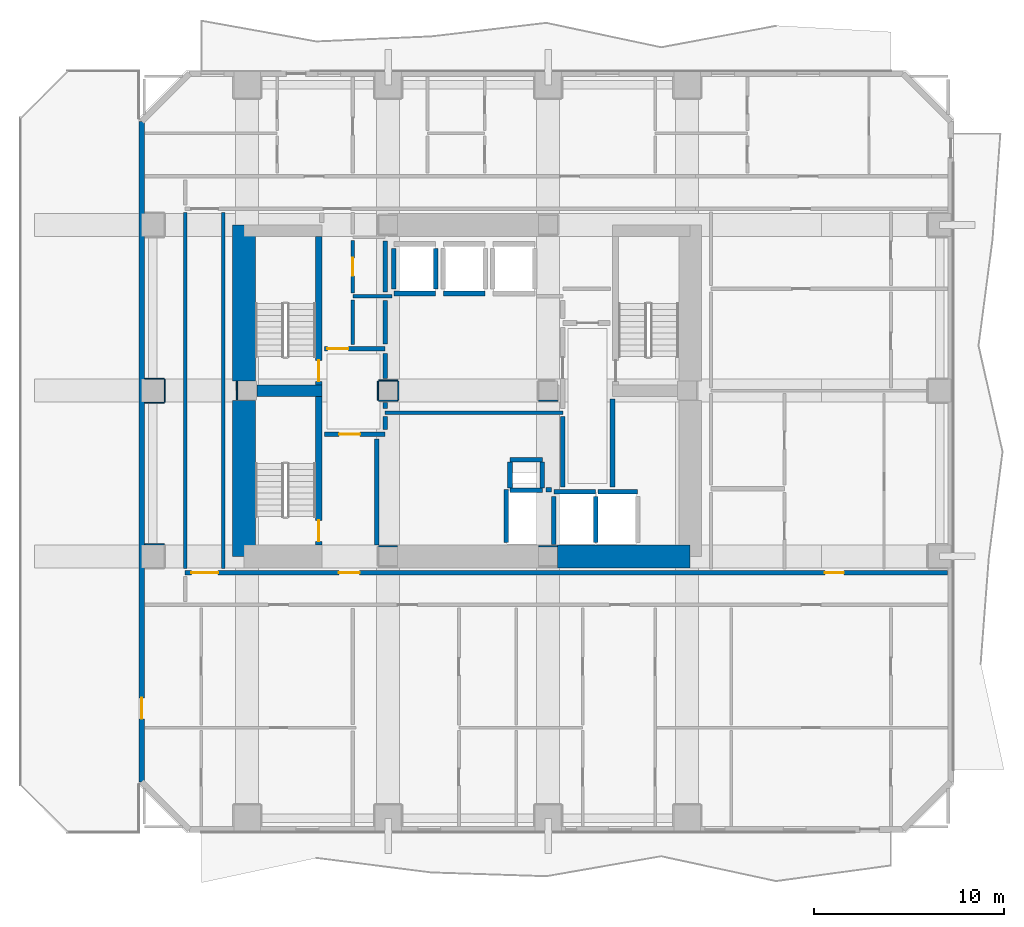
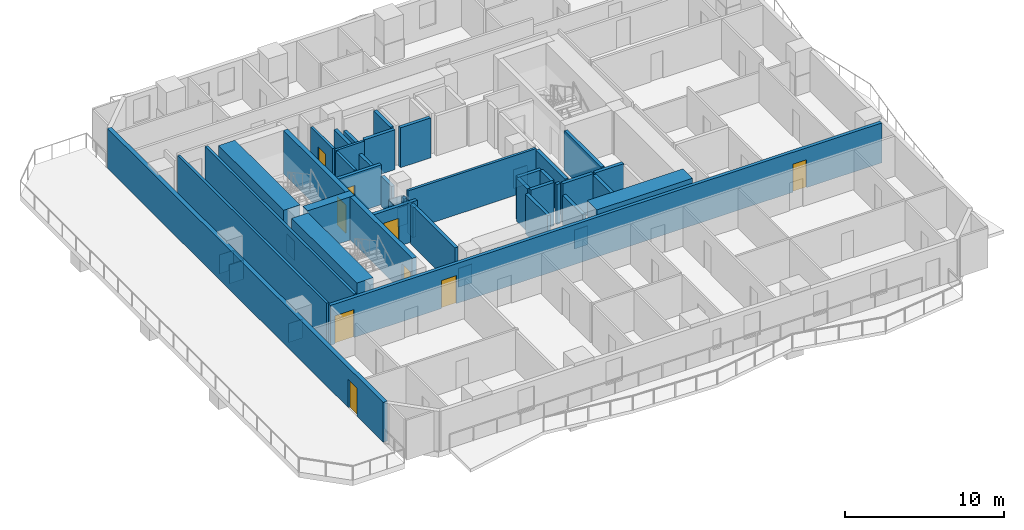
# One storey, part 3 of 10: 50 walls, 9 doors, 9 openings.
"""IFC4 building model written with IfcOpenShell, lengths in metres."""

from ifc_helpers import new_model, si_unit, direction, frame, frame_2d, origin, place, context, subcontext, project, spatial, rectangle, extrude, material, layer, layer_set, type_object, element, fill, save


model = new_model("IFC4")

# Units and contexts
model_context = context("Model", 3, precision=1e-05, world=origin(), true_north=direction((0.0, 1.0)))
body_context = subcontext(model_context, "Body", "Model", "MODEL_VIEW")
ifc_project = project(units=[si_unit("LENGTHUNIT", "METRE"), si_unit("AREAUNIT", "SQUARE_METRE"), si_unit("VOLUMEUNIT", "CUBIC_METRE"), si_unit("PLANEANGLEUNIT", "RADIAN"), si_unit("MASSUNIT", "GRAM", prefix="KILO")], contexts=[model_context])

# Site, building, storey
site_placement = place(None, origin())
site = spatial("IfcSite", under=ifc_project, at=site_placement, CompositionType="ELEMENT")
building_placement = place(site_placement, origin())
building = spatial("IfcBuilding", under=site, at=building_placement, Name="Solanera Arch Residences", CompositionType="ELEMENT")
storey_placement = place(building_placement, frame((0.0, 0.0, 41.919921875)))
storey = spatial("IfcBuildingStorey", under=building, at=storey_placement, Name="L11", CompositionType="ELEMENT", Elevation=41.919921875)

# Walls
ifc_material_1 = material(Name="Fire-Rated Gypsum Stud Partition", Category="gypsum")
ifc_layer_1 = layer(ifc_material_1, 0.06005859375)
ifc_layer_set_1 = layer_set([ifc_layer_1], Name="Fire-Rated Gypsum Stud Partition")
wall_type_1 = type_object("IfcWallType", Name="Column Acoustic Furring Wall 60", PredefinedType="PARTITIONING", material=ifc_layer_set_1)
wall_1_placement = place(storey_placement, frame((20.300048828125, 22.531982421875, 0.0), z_axis=(0.0, 0.0, 1.0), x_axis=(1.0, 0.0, 0.0)))
element("IfcWall", 1, at=wall_1_placement, inside=storey, type_object=wall_type_1, Name="L11 Column Furring 1N", PredefinedType="PARTITIONING", context=body_context, shape_type="SweptSolid", body=[
    extrude(rectangle(XDim=0.989990234375, YDim=0.06005859375, at=frame_2d((0.4951171875, 0.0))), origin(), (0.0, 0.0, 1.0), 1.4501953125),
])
for number, where, z_axis, x_axis, name in (
    (2, (28.7099609375, 22.531982421875, 0.0), (0.0, 0.0, 1.0), (1.0, 0.0, 0.0), "L11 Column Furring 2N"),
    (3, (12.867919921875, 30.2099609375, 0.0), (0.0, 0.0, 1.0), (0.0, 1.0, 0.0), "L11 Column Furring 5W"),
):
    element("IfcWall", number, at=place(storey_placement, frame(where, z_axis=z_axis, x_axis=x_axis)), inside=storey, type_object=wall_type_1, Name=name, PredefinedType="PARTITIONING", context=body_context, shape_type="SweptSolid", body=[
        extrude(rectangle(XDim=0.97998046875, YDim=0.06005859375, at=frame_2d((0.489990234375, 0.0))), origin(), (0.0, 0.0, 1.0), 1.4501953125),
    ])
for number, where, z_axis, x_axis, name in (
    (4, (20.300048828125, 30.16796875, 0.0), (0.0, 0.0, 1.0), (1.0, 0.0, 0.0), "L11 Column Furring 7S"),
    (5, (20.300048828125, 31.23193359375, 0.0), (0.0, 0.0, 1.0), (1.0, 0.0, 0.0), "L11 Column Furring 7N"),
    (6, (20.26806640625, 30.199951171875, 0.0), (0.0, 0.0, 1.0), (0.0, 1.0, 0.0), "L11 Column Furring 7W"),
    (7, (21.33203125, 30.199951171875, 0.0), (0.0, 0.0, 1.0), (0.0, 1.0, 0.0), "L11 Column Furring 7E"),
    (8, (28.699951171875, 30.16796875, 0.0), (0.0, 0.0, 1.0), (1.0, 0.0, 0.0), "L11 Column Furring 8S"),
):
    element("IfcWall", number, at=place(storey_placement, frame(where, z_axis=z_axis, x_axis=x_axis)), inside=storey, type_object=wall_type_1, Name=name, PredefinedType="PARTITIONING", context=body_context, shape_type="SweptSolid", body=[
        extrude(rectangle(XDim=1.0, YDim=0.06005859375, at=frame_2d((0.5, 0.0))), origin(), (0.0, 0.0, 1.0), 1.4501953125),
    ])
for number, where, z_axis, x_axis, name in (
    (9, (8.030029296875, 22.632080078125, 0.0), (0.0, 0.0, 1.0), (1.0, 0.0, 0.0), "L11 Column Furring 17N"),
    (10, (8.030029296875, 30.068115234375, 0.0), (0.0, 0.0, 1.0), (1.0, 0.0, 0.0), "L11 Column Furring 19S"),
    (11, (8.030029296875, 31.33203125, 0.0), (0.0, 0.0, 1.0), (1.0, 0.0, 0.0), "L11 Column Furring 19N"),
):
    element("IfcWall", number, at=place(storey_placement, frame(where, z_axis=z_axis, x_axis=x_axis)), inside=storey, type_object=wall_type_1, Name=name, PredefinedType="PARTITIONING", context=body_context, shape_type="SweptSolid", body=[
        extrude(rectangle(XDim=1.02001953125, YDim=0.06005859375, at=frame_2d((0.510009765625, 0.0))), origin(), (0.0, 0.0, 1.0), 1.4501953125),
    ])
wall_2_placement = place(storey_placement, frame((9.08203125, 30.10009765625, 0.0), z_axis=(0.0, 0.0, 1.0), x_axis=(0.0, 1.0, 0.0)))
element("IfcWall", 12, at=wall_2_placement, inside=storey, type_object=wall_type_1, Name="L11 Column Furring 19E", PredefinedType="PARTITIONING", context=body_context, shape_type="SweptSolid", body=[
    extrude(rectangle(XDim=1.199951171875, YDim=0.06005859375, at=frame_2d((0.60009765625, 0.0))), origin(), (0.0, 0.0, 1.0), 1.4501953125),
])
ifc_material_2 = material(Name="Concrete C55/67 (f'c = 60 MPa)", Category="concrete")
ifc_layer_2 = layer(ifc_material_2, 1.199951171875)
ifc_layer_set_2 = layer_set([ifc_layer_2], Name="Concrete C55/67 (f'c = 60 MPa)")
wall_type_2 = type_object("IfcWallType", Name="Core Shear Wall CW-1200", PredefinedType="SHEAR", material=ifc_layer_set_2)
wall_3_placement = place(storey_placement, frame((13.239990234375, 22.0, 0.0), z_axis=(0.0, 0.0, 1.0), x_axis=(0.0, 1.0, 0.0)))
element("IfcWall", 13, at=wall_3_placement, inside=storey, type_object=wall_type_2, Name="L11 West Core South Shear Wall", PredefinedType="SHEAR", context=body_context, shape_type="SweptSolid", body=[
    extrude(rectangle(XDim=8.195068359375, YDim=1.199951171875, at=frame_2d((4.09765625, 0.0))), origin(), (0.0, 0.0, 1.0), 3.320068359375),
])
wall_4_placement = place(storey_placement, frame((13.239990234375, 31.205078125, 0.0), z_axis=(0.0, 0.0, 1.0), x_axis=(0.0, 1.0, 0.0)))
element("IfcWall", 14, at=wall_4_placement, inside=storey, type_object=wall_type_2, Name="L11 West Core North Shear Wall", PredefinedType="SHEAR", context=body_context, shape_type="SweptSolid", body=[
    extrude(rectangle(XDim=8.19482421875, YDim=1.199951171875, at=frame_2d((4.097412109375, 0.0))), origin(), (0.0, 0.0, 1.0), 3.320068359375),
])
wall_5_placement = place(storey_placement, frame((29.705078125, 22.0, 0.0), z_axis=(0.0, 0.0, 1.0), x_axis=(1.0, 0.0, 0.0)))
element("IfcWall", 15, at=wall_5_placement, inside=storey, type_object=wall_type_2, Name="L11 South-East Core Shear Wall", PredefinedType="SHEAR", context=body_context, shape_type="SweptSolid", body=[
    extrude(rectangle(XDim=6.954833984375, YDim=1.199951171875, at=frame_2d((3.4775390625, 0.0))), origin(), (0.0, 0.0, 1.0), 3.320068359375),
])

# Wall, opening, door
ifc_material_3 = material(Name="Concrete C40/50 (f'c = 45 MPa)", Category="concrete")
ifc_layer_3 = layer(ifc_material_3, 0.320068359375)
ifc_layer_set_3 = layer_set([ifc_layer_3], Name="Concrete C40/50 (f'c = 45 MPa)")
wall_type_3 = type_object("IfcWallType", Name="Core Shear Wall CW-320", PredefinedType="SHEAR", material=ifc_layer_set_3)
wall_6_placement = place(storey_placement, frame((17.159912109375, 31.0, 0.0), z_axis=(0.0, 0.0, 1.0), x_axis=(0.0, 1.0, 0.0)))
wall_6 = element("IfcWall", 16, at=wall_6_placement, inside=storey, type_object=wall_type_3, Name="L11 Stair ST-T1 East Shear Wall", PredefinedType="SHEAR", context=body_context, shape_type="SweptSolid", body=[
    extrude(rectangle(XDim=7.800048828125, YDim=0.320068359375, at=frame_2d((3.89990234375, 0.0))), origin(), (0.0, 0.0, 1.0), 3.320068359375),
])
opening_1_placement = place(wall_6_placement, frame((0.18994140625, 0.0, 0.0)))
opening_1 = element("IfcOpeningElement", 17, at=opening_1_placement, cuts=wall_6, Name="Opening DF-01", PredefinedType="OPENING", context=body_context, shape_type="SweptSolid", body=[
    extrude(rectangle(XDim=1.10009765625, YDim=2.14990234375, at=frame_2d((0.550048828125, 1.074951171875))), frame((0.0, 0.169921875, 0.0), z_axis=(0.0, -1.0, 0.0), x_axis=(1.0, 0.0, 0.0)), (0.0, 0.0, 1.0), 0.3401),
])
ifc_material_4 = material(Name="Fire-Rated Architectural Hardwood", Category="wood")
door_type_1 = type_object("IfcDoorType", Name="Stair Exit Fire Door DF-01", OperationType="NOTDEFINED", PredefinedType="DOOR", material=ifc_material_4)
door_1_placement = place(opening_1_placement, origin())
door_1 = element("IfcDoor", 18, at=door_1_placement, inside=storey, type_object=door_type_1, Name="DR-L11-STAIR-ST-T1", OperationType="SINGLE_SWING_LEFT", OverallHeight=2.14990234375, OverallWidth=1.10009765625, PredefinedType="DOOR", context=body_context, shape_type="SweptSolid", body=[
    extrude(rectangle(XDim=1.10009765625, YDim=2.14990234375, at=frame_2d((0.550048828125, 1.074951171875))), frame((0.0, 0.02490234375, 0.0), z_axis=(0.0, -1.0, 0.0), x_axis=(1.0, 0.0, 0.0)), (0.0, 0.0, 1.0), 0.050048828125),
])
fill(opening_1, door_1)

wall_7_placement = place(storey_placement, frame((17.159912109375, 22.60009765625, 0.0), z_axis=(0.0, 0.0, 1.0), x_axis=(0.0, 1.0, 0.0)))
wall_7 = element("IfcWall", 19, at=wall_7_placement, inside=storey, type_object=wall_type_3, Name="L11 Stair ST-T3 East Shear Wall", PredefinedType="SHEAR", context=body_context, shape_type="SweptSolid", body=[
    extrude(rectangle(XDim=7.7998046875, YDim=0.320068359375, at=frame_2d((3.89990234375, 0.0))), origin(), (0.0, 0.0, 1.0), 3.320068359375),
])
opening_2_placement = place(wall_7_placement, frame((0.18994140625, 0.0, 0.0)))
opening_2 = element("IfcOpeningElement", 20, at=opening_2_placement, cuts=wall_7, Name="Opening DF-01", PredefinedType="OPENING", context=body_context, shape_type="SweptSolid", body=[
    extrude(rectangle(XDim=1.10009765625, YDim=2.14990234375, at=frame_2d((0.550048828125, 1.074951171875))), frame((0.0, 0.169921875, 0.0), z_axis=(0.0, -1.0, 0.0), x_axis=(1.0, 0.0, 0.0)), (0.0, 0.0, 1.0), 0.3401),
])
door_2_placement = place(opening_2_placement, origin())
door_2 = element("IfcDoor", 21, at=door_2_placement, inside=storey, type_object=door_type_1, Name="DR-L11-STAIR-ST-T3", OperationType="SINGLE_SWING_LEFT", OverallHeight=2.14990234375, OverallWidth=1.10009765625, PredefinedType="DOOR", context=body_context, shape_type="SweptSolid", body=[
    extrude(rectangle(XDim=1.10009765625, YDim=2.14990234375, at=frame_2d((0.550048828125, 1.074951171875))), frame((0.0, 0.02490234375, 0.0), z_axis=(0.0, -1.0, 0.0), x_axis=(1.0, 0.0, 0.0)), (0.0, 0.0, 1.0), 0.050048828125),
])
fill(opening_2, door_2)

# Walls
ifc_material_5 = material(Name="Concrete C40/50 (f'c = 45 MPa)", Category="concrete")
ifc_layer_4 = layer(ifc_material_5, 0.60009765625)
ifc_layer_set_4 = layer_set([ifc_layer_4], Name="Concrete C40/50 (f'c = 45 MPa)")
wall_type_4 = type_object("IfcWallType", Name="Core Shear Wall CW-600", PredefinedType="SHEAR", material=ifc_layer_set_4)
wall_8_placement = place(storey_placement, frame((13.905029296875, 30.699951171875, 0.0), z_axis=(0.0, 0.0, 1.0), x_axis=(1.0, 0.0, 0.0)))
element("IfcWall", 22, at=wall_8_placement, inside=storey, type_object=wall_type_4, Name="L11 West Stair Divider Shear Wall", PredefinedType="SHEAR", context=body_context, shape_type="SweptSolid", body=[
    extrude(rectangle(XDim=3.4150390625, YDim=0.60009765625, at=frame_2d((1.70751953125, 0.0))), origin(), (0.0, 0.0, 1.0), 3.320068359375),
])
ifc_material_6 = material(Name="Autoclaved Aerated Concrete Blockwork", Category="masonry")
ifc_layer_5 = layer(ifc_material_6, 0.179931640625)
ifc_layer_set_5 = layer_set([ifc_layer_5], Name="Autoclaved Aerated Concrete Blockwork")
wall_type_5 = type_object("IfcWallType", Name="Corridor Fire Partition 180", PredefinedType="PARTITIONING", material=ifc_layer_set_5)
wall_9_placement = place(storey_placement, frame((20.64990234375, 29.550048828125, 0.0), z_axis=(0.0, 0.0, 1.0), x_axis=(1.0, 0.0, 0.0)))
element("IfcWall", 23, at=wall_9_placement, inside=storey, type_object=wall_type_5, Name="L11 Interior Partition H8", PredefinedType="PARTITIONING", context=body_context, shape_type="SweptSolid", body=[
    extrude(rectangle(XDim=9.3251953125, YDim=0.179931640625, at=frame_2d((4.66259765625, 0.0))), origin(), (0.0, 0.0, 1.0), 3.06005859375),
])
wall_10_placement = place(storey_placement, frame((18.949951171875, 35.64990234375, 0.0), z_axis=(0.0, 0.0, 1.0), x_axis=(1.0, 0.0, 0.0)))
element("IfcWall", 24, at=wall_10_placement, inside=storey, type_object=wall_type_5, Name="L11 Interior Partition H9 1", PredefinedType="PARTITIONING", context=body_context, shape_type="SweptSolid", body=[
    extrude(rectangle(XDim=2.05712890625, YDim=0.179931640625, at=frame_2d((1.028564453125, 0.0))), origin(), (0.0, 0.0, 1.0), 3.06005859375),
])
for number, where, z_axis, x_axis, name in (
    (25, (10.14990234375, 21.367919921875, 0.0), (0.0, 0.0, 1.0), (0.0, 1.0, 0.0), "L11 Interior Partition V6 2"),
    (26, (12.14990234375, 21.367919921875, 0.0), (0.0, 0.0, 1.0), (0.0, 1.0, 0.0), "L11 Interior Partition V7"),
):
    element("IfcWall", number, at=place(storey_placement, frame(where, z_axis=z_axis, x_axis=x_axis)), inside=storey, type_object=wall_type_5, Name=name, PredefinedType="PARTITIONING", context=body_context, shape_type="SweptSolid", body=[
        extrude(rectangle(XDim=18.694091796875, YDim=0.179931640625, at=frame_2d((9.34716796875, 0.0))), origin(), (0.0, 0.0, 1.0), 3.06005859375),
    ])
wall_11_placement = place(storey_placement, frame((18.949951171875, 33.117919921875, 0.0), z_axis=(0.0, 0.0, 1.0), x_axis=(0.0, 1.0, 0.0)))
element("IfcWall", 27, at=wall_11_placement, inside=storey, type_object=wall_type_5, Name="L11 Interior Partition V9 1", PredefinedType="PARTITIONING", context=body_context, shape_type="SweptSolid", body=[
    extrude(rectangle(XDim=2.343994140625, YDim=0.179931640625, at=frame_2d((1.171875, 0.0))), origin(), (0.0, 0.0, 1.0), 3.06005859375),
])

# Wall, opening, door
wall_12_placement = place(storey_placement, frame((18.949951171875, 35.837890625, 0.0), z_axis=(0.0, 0.0, 1.0), x_axis=(0.0, 1.0, 0.0)))
wall_12 = element("IfcWall", 28, at=wall_12_placement, inside=storey, type_object=wall_type_5, Name="L11 Interior Partition V9 2", PredefinedType="PARTITIONING", context=body_context, shape_type="SweptSolid", body=[
    extrude(rectangle(XDim=2.744140625, YDim=0.179931640625, at=frame_2d((1.3720703125, 0.0))), origin(), (0.0, 0.0, 1.0), 3.06005859375),
])
opening_3_placement = place(wall_12_placement, frame((0.886962890625, 0.0, 0.0)))
opening_3 = element("IfcOpeningElement", 29, at=opening_3_placement, cuts=wall_12, Name="Opening DI-04", PredefinedType="OPENING", context=body_context, shape_type="SweptSolid", body=[
    extrude(rectangle(XDim=0.949951171875, YDim=2.10009765625, at=frame_2d((0.47509765625, 1.050048828125))), frame((0.0, 0.10009765625, 0.0), z_axis=(0.0, -1.0, 0.0), x_axis=(1.0, 0.0, 0.0)), (0.0, 0.0, 1.0), 0.1999),
])
ifc_material_7 = material(Name="Fire-Rated Architectural Hardwood", Category="wood")
door_type_2 = type_object("IfcDoorType", Name="Accessible Restroom Door DI-04", OperationType="NOTDEFINED", PredefinedType="DOOR", material=ifc_material_7)
door_3_placement = place(opening_3_placement, origin())
door_3 = element("IfcDoor", 30, at=door_3_placement, inside=storey, type_object=door_type_2, Name="DR-L11-IN-012", OperationType="SINGLE_SWING_RIGHT", OverallHeight=2.10009765625, OverallWidth=0.949951171875, PredefinedType="DOOR", context=body_context, shape_type="SweptSolid", body=[
    extrude(rectangle(XDim=0.949951171875, YDim=2.10009765625, at=frame_2d((0.47509765625, 1.050048828125))), frame((0.0, 0.02490234375, 0.0), z_axis=(0.0, -1.0, 0.0), x_axis=(1.0, 0.0, 0.0)), (0.0, 0.0, 1.0), 0.050048828125),
])
fill(opening_3, door_3)

ifc_material_8 = material(Name="Precast Concrete C35/45", Category="concrete")
ifc_layer_6 = layer(ifc_material_8, 0.300048828125)
ifc_layer_set_6 = layer_set([ifc_layer_6], Name="Precast Concrete C35/45")
wall_type_6 = type_object("IfcWallType", Name="Exterior Wall Precast Masonry-Frame 300", PredefinedType="STANDARD", material=ifc_layer_set_6)
wall_13_placement = place(storey_placement, frame((7.864990234375, 10.1650390625, 0.0), z_axis=(0.0, 0.0, 1.0), x_axis=(0.0, 1.0, 0.0)))
wall_13 = element("IfcWall", 31, at=wall_13_placement, inside=storey, type_object=wall_type_6, Name="L11 Tower Exterior Precast Masonry-Frame Wall W", PredefinedType="STANDARD", context=body_context, shape_type="SweptSolid", body=[
    extrude(rectangle(XDim=34.669921875, YDim=0.300048828125, at=frame_2d((17.3349609375, 0.0))), origin(), (0.0, 0.0, 1.0), 3.06005859375),
])
opening_4_placement = place(wall_13_placement, frame((3.302001953125, 0.0, 0.0)))
opening_4 = element("IfcOpeningElement", 32, at=opening_4_placement, cuts=wall_13, Name="Opening DB-02", PredefinedType="OPENING", context=body_context, shape_type="SweptSolid", body=[
    extrude(rectangle(XDim=1.10009765625, YDim=2.14990234375, at=frame_2d((0.550048828125, 1.074951171875))), frame((0.0, 0.159912109375, 0.0), z_axis=(0.0, -1.0, 0.0), x_axis=(1.0, 0.0, 0.0)), (0.0, 0.0, 1.0), 0.32),
])
ifc_material_9 = material(Name="Anodised Aluminium Alloy 6063-T6", Category="aluminium")
door_type_3 = type_object("IfcDoorType", Name="Glazed Terrace Swing Door DB-02", OperationType="NOTDEFINED", PredefinedType="DOOR", material=ifc_material_9)
door_4_placement = place(opening_4_placement, origin())
door_4 = element("IfcDoor", 33, at=door_4_placement, inside=storey, type_object=door_type_3, Name="DR-L11-OUT-01", OperationType="SINGLE_SWING_LEFT", OverallHeight=2.14990234375, OverallWidth=1.10009765625, PredefinedType="DOOR", context=body_context, shape_type="SweptSolid", body=[
    extrude(rectangle(XDim=1.10009765625, YDim=2.14990234375, at=frame_2d((0.550048828125, 1.074951171875))), frame((0.0, 0.02490234375, 0.0), z_axis=(0.0, -1.0, 0.0), x_axis=(1.0, 0.0, 0.0)), (0.0, 0.0, 1.0), 0.050048828125),
])
fill(opening_4, door_4)

# Walls
ifc_material_10 = material(Name="Concrete C40/50 (f'c = 45 MPa)", Category="concrete")
ifc_layer_7 = layer(ifc_material_10, 0.239990234375)
ifc_layer_set_7 = layer_set([ifc_layer_7], Name="Concrete C40/50 (f'c = 45 MPa)")
wall_type_7 = type_object("IfcWallType", Name="Ramp Bearing Shear Wall RW-240", PredefinedType="SHEAR", material=ifc_layer_set_7)
for number, where, z_axis, x_axis, name in (
    (34, (27.199951171875, 25.47998046875, 0.0), (0.0, 0.0, 1.0), (1.0, 0.0, 0.0), "L11 Core MEP Riser South Shaft Wall"),
    (35, (27.199951171875, 27.080078125, 0.0), (0.0, 0.0, 1.0), (1.0, 0.0, 0.0), "L11 Core MEP Riser North Shaft Wall"),
):
    element("IfcWall", number, at=place(storey_placement, frame(where, z_axis=z_axis, x_axis=x_axis)), inside=storey, type_object=wall_type_7, Name=name, PredefinedType="SHEAR", context=body_context, shape_type="SweptSolid", body=[
        extrude(rectangle(XDim=1.699951171875, YDim=0.239990234375, at=frame_2d((0.85009765625, 0.0))), origin(), (0.0, 0.0, 1.0), 3.320068359375),
    ])
for number, where, z_axis, x_axis, name in (
    (36, (27.199951171875, 25.60009765625, 0.0), (0.0, 0.0, 1.0), (0.0, 1.0, 0.0), "L11 Core MEP Riser West Shaft Wall"),
    (37, (28.89990234375, 25.60009765625, 0.0), (0.0, 0.0, 1.0), (0.0, 1.0, 0.0), "L11 Core MEP Riser East Shaft Wall"),
):
    element("IfcWall", number, at=place(storey_placement, frame(where, z_axis=z_axis, x_axis=x_axis)), inside=storey, type_object=wall_type_7, Name=name, PredefinedType="SHEAR", context=body_context, shape_type="SweptSolid", body=[
        extrude(rectangle(XDim=1.35986328125, YDim=0.239990234375, at=frame_2d((0.679931640625, 0.0))), origin(), (0.0, 0.0, 1.0), 3.320068359375),
    ])
ifc_material_11 = material(Name="Autoclaved Aerated Concrete Blockwork", Category="masonry")
ifc_layer_8 = layer(ifc_material_11, 0.239990234375)
ifc_layer_set_8 = layer_set([ifc_layer_8], Name="Autoclaved Aerated Concrete Blockwork")
wall_type_8 = type_object("IfcWallType", Name="Shaft Wall Fire-Rated 240", PredefinedType="PARTITIONING", material=ifc_layer_set_8)
wall_14_placement = place(storey_placement, frame((21.10009765625, 35.800048828125, 0.0), z_axis=(0.0, 0.0, 1.0), x_axis=(1.0, 0.0, 0.0)))
element("IfcWall", 38, at=wall_14_placement, inside=storey, type_object=wall_type_8, Name="L11 Lift PL-L1 Hoistway Wall S", PredefinedType="PARTITIONING", context=body_context, shape_type="SweptSolid", body=[
    extrude(rectangle(XDim=2.199951171875, YDim=0.239990234375, at=frame_2d((1.10009765625, 0.0))), origin(), (0.0, 0.0, 1.0), 3.06005859375),
])
wall_15_placement = place(storey_placement, frame((21.10009765625, 36.048095703125, 0.0), z_axis=(0.0, 0.0, 1.0), x_axis=(0.0, 1.0, 0.0)))
element("IfcWall", 39, at=wall_15_placement, inside=storey, type_object=wall_type_8, Name="L11 Lift PL-L1 Hoistway Wall W", PredefinedType="PARTITIONING", context=body_context, shape_type="SweptSolid", body=[
    extrude(rectangle(XDim=2.10400390625, YDim=0.239990234375, at=frame_2d((1.052001953125, 0.0))), origin(), (0.0, 0.0, 1.0), 2.295166015625),
])
wall_16_placement = place(storey_placement, frame((23.300048828125, 36.048095703125, 0.0), z_axis=(0.0, 0.0, 1.0), x_axis=(0.0, 1.0, 0.0)))
element("IfcWall", 40, at=wall_16_placement, inside=storey, type_object=wall_type_8, Name="L11 Lift PL-L1 Hoistway Wall E", PredefinedType="PARTITIONING", context=body_context, shape_type="SweptSolid", body=[
    extrude(rectangle(XDim=2.10400390625, YDim=0.239990234375, at=frame_2d((1.052001953125, 0.0))), origin(), (0.0, 0.0, 1.0), 3.06005859375),
])
for number, where, z_axis, x_axis, name in (
    (41, (23.699951171875, 35.800048828125, 0.0), (0.0, 0.0, 1.0), (1.0, 0.0, 0.0), "L11 Lift PL-L2 Hoistway Wall S"),
    (42, (29.5, 25.39990234375, 0.0), (0.0, 0.0, 1.0), (1.0, 0.0, 0.0), "L11 Lift FFL-1 Hoistway Wall N"),
):
    element("IfcWall", number, at=place(storey_placement, frame(where, z_axis=z_axis, x_axis=x_axis)), inside=storey, type_object=wall_type_8, Name=name, PredefinedType="PARTITIONING", context=body_context, shape_type="SweptSolid", body=[
        extrude(rectangle(XDim=2.199951171875, YDim=0.239990234375, at=frame_2d((1.10009765625, 0.0))), origin(), (0.0, 0.0, 1.0), 3.06005859375),
    ])
wall_17_placement = place(storey_placement, frame((29.5, 22.632080078125, 0.0), z_axis=(0.0, 0.0, 1.0), x_axis=(0.0, 1.0, 0.0)))
element("IfcWall", 43, at=wall_17_placement, inside=storey, type_object=wall_type_8, Name="L11 Lift FFL-1 Hoistway Wall W", PredefinedType="PARTITIONING", context=body_context, shape_type="SweptSolid", body=[
    extrude(rectangle(XDim=2.52001953125, YDim=0.239990234375, at=frame_2d((1.260009765625, 0.0))), origin(), (0.0, 0.0, 1.0), 2.295166015625),
])
wall_18_placement = place(storey_placement, frame((31.699951171875, 22.72998046875, 0.0), z_axis=(0.0, 0.0, 1.0), x_axis=(0.0, 1.0, 0.0)))
element("IfcWall", 44, at=wall_18_placement, inside=storey, type_object=wall_type_8, Name="L11 Lift FFL-1 Hoistway Wall E", PredefinedType="PARTITIONING", context=body_context, shape_type="SweptSolid", body=[
    extrude(rectangle(XDim=2.422119140625, YDim=0.239990234375, at=frame_2d((1.2109375, 0.0))), origin(), (0.0, 0.0, 1.0), 3.06005859375),
])
wall_19_placement = place(storey_placement, frame((31.827880859375, 25.39990234375, 0.0), z_axis=(0.0, 0.0, 1.0), x_axis=(1.0, 0.0, 0.0)))
element("IfcWall", 45, at=wall_19_placement, inside=storey, type_object=wall_type_8, Name="L11 Lift FFL-2 Hoistway Wall N", PredefinedType="PARTITIONING", context=body_context, shape_type="SweptSolid", body=[
    extrude(rectangle(XDim=2.072021484375, YDim=0.239990234375, at=frame_2d((1.0361328125, 0.0))), origin(), (0.0, 0.0, 1.0), 3.06005859375),
])
wall_20_placement = place(storey_placement, frame((29.10302734375, 25.5, 0.0), z_axis=(0.0, 0.0, 1.0), x_axis=(1.0, 0.0, 0.0)))
element("IfcWall", 46, at=wall_20_placement, inside=storey, type_object=wall_type_8, Name="L11 Lift SVL-1 Hoistway Wall N", PredefinedType="PARTITIONING", context=body_context, shape_type="SweptSolid", body=[
    extrude(rectangle(XDim=0.26904296875, YDim=0.239990234375, at=frame_2d((0.134521484375, 0.0))), origin(), (0.0, 0.0, 1.0), 3.06005859375),
])
wall_21_placement = place(storey_placement, frame((27.0, 22.72998046875, 0.0), z_axis=(0.0, 0.0, 1.0), x_axis=(0.0, 1.0, 0.0)))
element("IfcWall", 47, at=wall_21_placement, inside=storey, type_object=wall_type_8, Name="L11 Lift SVL-1 Hoistway Wall W", PredefinedType="PARTITIONING", context=body_context, shape_type="SweptSolid", body=[
    extrude(rectangle(XDim=2.76806640625, YDim=0.239990234375, at=frame_2d((1.384033203125, 0.0))), origin(), (0.0, 0.0, 1.0), 3.06005859375),
])

# Wall, openings, doors
wall_22_placement = place(storey_placement, frame((10.14990234375, 21.14990234375, 0.0), z_axis=(0.0, 0.0, 1.0), x_axis=(1.0, 0.0, 0.0)))
wall_22 = element("IfcWall", 48, at=wall_22_placement, inside=storey, type_object=wall_type_8, Name="L11 Interior Partition H1", PredefinedType="PARTITIONING", context=body_context, shape_type="SweptSolid", body=[
    extrude(rectangle(XDim=40.023193359375, YDim=0.239990234375, at=frame_2d((20.01171875, 0.0))), origin(), (0.0, 0.0, 1.0), 3.06005859375),
])
opening_5_placement = place(wall_22_placement, frame((8.06005859375, 0.0, 0.0)))
opening_5 = element("IfcOpeningElement", 49, at=opening_5_placement, cuts=wall_22, Name="Opening DF-02", PredefinedType="OPENING", context=body_context, shape_type="SweptSolid", body=[
    extrude(rectangle(XDim=1.10009765625, YDim=2.14990234375, at=frame_2d((0.550048828125, 1.074951171875))), frame((0.0, 0.1298828125, 0.0), z_axis=(0.0, -1.0, 0.0), x_axis=(1.0, 0.0, 0.0)), (0.0, 0.0, 1.0), 0.26),
])
opening_6_placement = place(wall_22_placement, frame((0.323974609375, 0.0, 0.0)))
opening_6 = element("IfcOpeningElement", 50, at=opening_6_placement, cuts=wall_22, Name="Opening DF-03", PredefinedType="OPENING", context=body_context, shape_type="SweptSolid", body=[
    extrude(rectangle(XDim=1.39990234375, YDim=2.14990234375, at=frame_2d((0.699951171875, 1.074951171875))), frame((0.0, 0.1298828125, 0.0), z_axis=(0.0, -1.0, 0.0), x_axis=(1.0, 0.0, 0.0)), (0.0, 0.0, 1.0), 0.26),
])
opening_7_placement = place(wall_22_placement, frame((33.573974609375, 0.0, 0.0)))
opening_7 = element("IfcOpeningElement", 51, at=opening_7_placement, cuts=wall_22, Name="Opening DI-01", PredefinedType="OPENING", context=body_context, shape_type="SweptSolid", body=[
    extrude(rectangle(XDim=1.0, YDim=2.14990234375, at=frame_2d((0.5, 1.074951171875))), frame((0.0, 0.1298828125, 0.0), z_axis=(0.0, -1.0, 0.0), x_axis=(1.0, 0.0, 0.0)), (0.0, 0.0, 1.0), 0.26),
])
ifc_material_12 = material(Name="Fire-Rated Architectural Hardwood", Category="wood")
door_type_4 = type_object("IfcDoorType", Name="Corridor Smoke Door DF-03", OperationType="NOTDEFINED", PredefinedType="DOOR", material=ifc_material_12)
door_5_placement = place(opening_6_placement, origin())
door_5 = element("IfcDoor", 52, at=door_5_placement, inside=storey, type_object=door_type_4, Name="DR-L11-IN-010", OperationType="SINGLE_SWING_RIGHT", OverallHeight=2.14990234375, OverallWidth=1.39990234375, PredefinedType="DOOR", context=body_context, shape_type="SweptSolid", body=[
    extrude(rectangle(XDim=1.39990234375, YDim=2.14990234375, at=frame_2d((0.699951171875, 1.074951171875))), frame((0.0, 0.02490234375, 0.0), z_axis=(0.0, -1.0, 0.0), x_axis=(1.0, 0.0, 0.0)), (0.0, 0.0, 1.0), 0.050048828125),
])
fill(opening_6, door_5)
ifc_material_13 = material(Name="Fire-Rated Architectural Hardwood", Category="wood")
door_type_5 = type_object("IfcDoorType", Name="Firefighting Lobby Fire Door DF-02", OperationType="NOTDEFINED", PredefinedType="DOOR", material=ifc_material_13)
door_6_placement = place(opening_5_placement, origin())
door_6 = element("IfcDoor", 53, at=door_6_placement, inside=storey, type_object=door_type_5, Name="DR-L11-IN-008", OperationType="SINGLE_SWING_RIGHT", OverallHeight=2.14990234375, OverallWidth=1.10009765625, PredefinedType="DOOR", context=body_context, shape_type="SweptSolid", body=[
    extrude(rectangle(XDim=1.10009765625, YDim=2.14990234375, at=frame_2d((0.550048828125, 1.074951171875))), frame((0.0, 0.02490234375, 0.0), z_axis=(0.0, -1.0, 0.0), x_axis=(1.0, 0.0, 0.0)), (0.0, 0.0, 1.0), 0.050048828125),
])
fill(opening_5, door_6)
ifc_material_14 = material(Name="Fire-Rated Architectural Hardwood", Category="wood")
door_type_6 = type_object("IfcDoorType", Name="Unit Entrance Fire Door DI-01", OperationType="NOTDEFINED", PredefinedType="DOOR", material=ifc_material_14)
door_7_placement = place(opening_7_placement, origin())
door_7 = element("IfcDoor", 54, at=door_7_placement, inside=storey, type_object=door_type_6, Name="DR-L11-IN-040", OperationType="SINGLE_SWING_RIGHT", OverallHeight=2.14990234375, OverallWidth=1.0, PredefinedType="DOOR", context=body_context, shape_type="SweptSolid", body=[
    extrude(rectangle(XDim=1.0, YDim=2.14990234375, at=frame_2d((0.5, 1.074951171875))), frame((0.0, 0.02490234375, 0.0), z_axis=(0.0, -1.0, 0.0), x_axis=(1.0, 0.0, 0.0)), (0.0, 0.0, 1.0), 0.050048828125),
])
fill(opening_7, door_7)

# Wall, opening, door
wall_23_placement = place(storey_placement, frame((17.449951171875, 28.39990234375, 0.0), z_axis=(0.0, 0.0, 1.0), x_axis=(1.0, 0.0, 0.0)))
wall_23 = element("IfcWall", 55, at=wall_23_placement, inside=storey, type_object=wall_type_8, Name="L11 Interior Partition H4", PredefinedType="PARTITIONING", context=body_context, shape_type="SweptSolid", body=[
    extrude(rectangle(XDim=3.199951171875, YDim=0.239990234375, at=frame_2d((1.60009765625, 0.0))), origin(), (0.0, 0.0, 1.0), 3.06005859375),
])
opening_8_placement = place(wall_23_placement, frame((0.783935546875, 0.0, 0.0)))
opening_8 = element("IfcOpeningElement", 56, at=opening_8_placement, cuts=wall_23, Name="Opening DF-02", PredefinedType="OPENING", context=body_context, shape_type="SweptSolid", body=[
    extrude(rectangle(XDim=1.10009765625, YDim=2.14990234375, at=frame_2d((0.550048828125, 1.074951171875))), frame((0.0, 0.1298828125, 0.0), z_axis=(0.0, -1.0, 0.0), x_axis=(1.0, 0.0, 0.0)), (0.0, 0.0, 1.0), 0.26),
])
door_8_placement = place(opening_8_placement, origin())
door_8 = element("IfcDoor", 57, at=door_8_placement, inside=storey, type_object=door_type_5, Name="DR-L11-IN-004", OperationType="SINGLE_SWING_RIGHT", OverallHeight=2.14990234375, OverallWidth=1.10009765625, PredefinedType="DOOR", context=body_context, shape_type="SweptSolid", body=[
    extrude(rectangle(XDim=1.10009765625, YDim=2.14990234375, at=frame_2d((0.550048828125, 1.074951171875))), frame((0.0, 0.02490234375, 0.0), z_axis=(0.0, -1.0, 0.0), x_axis=(1.0, 0.0, 0.0)), (0.0, 0.0, 1.0), 0.050048828125),
])
fill(opening_8, door_8)

wall_24_placement = place(storey_placement, frame((17.449951171875, 32.89990234375, 0.0), z_axis=(0.0, 0.0, 1.0), x_axis=(1.0, 0.0, 0.0)))
wall_24 = element("IfcWall", 58, at=wall_24_placement, inside=storey, type_object=wall_type_8, Name="L11 Interior Partition H5", PredefinedType="PARTITIONING", context=body_context, shape_type="SweptSolid", body=[
    extrude(rectangle(XDim=3.199951171875, YDim=0.239990234375, at=frame_2d((1.60009765625, 0.0))), origin(), (0.0, 0.0, 1.0), 3.06005859375),
])
opening_9_placement = place(wall_24_placement, frame((0.158935546875, 0.0, 0.0)))
opening_9 = element("IfcOpeningElement", 59, at=opening_9_placement, cuts=wall_24, Name="Opening DF-02", PredefinedType="OPENING", context=body_context, shape_type="SweptSolid", body=[
    extrude(rectangle(XDim=1.10009765625, YDim=2.14990234375, at=frame_2d((0.550048828125, 1.074951171875))), frame((0.0, 0.1298828125, 0.0), z_axis=(0.0, -1.0, 0.0), x_axis=(1.0, 0.0, 0.0)), (0.0, 0.0, 1.0), 0.26),
])
door_9_placement = place(opening_9_placement, origin())
door_9 = element("IfcDoor", 60, at=door_9_placement, inside=storey, type_object=door_type_5, Name="DR-L11-IN-005", OperationType="SINGLE_SWING_LEFT", OverallHeight=2.14990234375, OverallWidth=1.10009765625, PredefinedType="DOOR", context=body_context, shape_type="SweptSolid", body=[
    extrude(rectangle(XDim=1.10009765625, YDim=2.14990234375, at=frame_2d((0.550048828125, 1.074951171875))), frame((0.0, 0.02490234375, 0.0), z_axis=(0.0, -1.0, 0.0), x_axis=(1.0, 0.0, 0.0)), (0.0, 0.0, 1.0), 0.050048828125),
])
fill(opening_9, door_9)

# Walls
wall_25_placement = place(storey_placement, frame((20.199951171875, 22.5859375, 0.0), z_axis=(0.0, 0.0, 1.0), x_axis=(0.0, 1.0, 0.0)))
element("IfcWall", 61, at=wall_25_placement, inside=storey, type_object=wall_type_8, Name="L11 Interior Partition V2", PredefinedType="PARTITIONING", context=body_context, shape_type="SweptSolid", body=[
    extrude(rectangle(XDim=5.566162109375, YDim=0.239990234375, at=frame_2d((2.783203125, 0.0))), origin(), (0.0, 0.0, 1.0), 3.06005859375),
])
wall_26_placement = place(storey_placement, frame((20.64990234375, 28.64794921875, 0.0), z_axis=(0.0, 0.0, 1.0), x_axis=(0.0, 1.0, 0.0)))
element("IfcWall", 62, at=wall_26_placement, inside=storey, type_object=wall_type_8, Name="L11 Interior Partition V3 1", PredefinedType="PARTITIONING", context=body_context, shape_type="SweptSolid", body=[
    extrude(rectangle(XDim=0.68408203125, YDim=0.239990234375, at=frame_2d((0.342041015625, 0.0))), origin(), (0.0, 0.0, 1.0), 2.295166015625),
])
wall_27_placement = place(storey_placement, frame((20.64990234375, 29.76806640625, 0.0), z_axis=(0.0, 0.0, 1.0), x_axis=(0.0, 1.0, 0.0)))
element("IfcWall", 63, at=wall_27_placement, inside=storey, type_object=wall_type_8, Name="L11 Interior Partition V3 2", PredefinedType="PARTITIONING", context=body_context, shape_type="SweptSolid", body=[
    extrude(rectangle(XDim=0.300048828125, YDim=0.239990234375, at=frame_2d((0.14990234375, 0.0))), origin(), (0.0, 0.0, 1.0), 2.295166015625),
])
wall_28_placement = place(storey_placement, frame((20.64990234375, 31.33203125, 0.0), z_axis=(0.0, 0.0, 1.0), x_axis=(0.0, 1.0, 0.0)))
element("IfcWall", 64, at=wall_28_placement, inside=storey, type_object=wall_type_8, Name="L11 Interior Partition V3 3", PredefinedType="PARTITIONING", context=body_context, shape_type="SweptSolid", body=[
    extrude(rectangle(XDim=1.320068359375, YDim=0.239990234375, at=frame_2d((0.66015625, 0.0))), origin(), (0.0, 0.0, 1.0), 2.295166015625),
])
wall_29_placement = place(storey_placement, frame((20.64990234375, 33.14794921875, 0.0), z_axis=(0.0, 0.0, 1.0), x_axis=(0.0, 1.0, 0.0)))
element("IfcWall", 65, at=wall_29_placement, inside=storey, type_object=wall_type_8, Name="L11 Interior Partition V3 4", PredefinedType="PARTITIONING", context=body_context, shape_type="SweptSolid", body=[
    extrude(rectangle(XDim=2.283935546875, YDim=0.239990234375, at=frame_2d((1.14208984375, 0.0))), origin(), (0.0, 0.0, 1.0), 2.295166015625),
])
wall_30_placement = place(storey_placement, frame((20.64990234375, 35.867919921875, 0.0), z_axis=(0.0, 0.0, 1.0), x_axis=(0.0, 1.0, 0.0)))
element("IfcWall", 66, at=wall_30_placement, inside=storey, type_object=wall_type_8, Name="L11 Interior Partition V3 5", PredefinedType="PARTITIONING", context=body_context, shape_type="SweptSolid", body=[
    extrude(rectangle(XDim=2.68408203125, YDim=0.239990234375, at=frame_2d((1.342041015625, 0.0))), origin(), (0.0, 0.0, 1.0), 2.295166015625),
])
wall_31_placement = place(storey_placement, frame((29.97509765625, 25.64794921875, 0.0), z_axis=(0.0, 0.0, 1.0), x_axis=(0.0, 1.0, 0.0)))
element("IfcWall", 67, at=wall_31_placement, inside=storey, type_object=wall_type_8, Name="L11 Interior Partition V4 1", PredefinedType="PARTITIONING", context=body_context, shape_type="SweptSolid", body=[
    extrude(rectangle(XDim=3.68408203125, YDim=0.239990234375, at=frame_2d((1.842041015625, 0.0))), origin(), (0.0, 0.0, 1.0), 3.06005859375),
])
wall_32_placement = place(storey_placement, frame((32.580078125, 25.64794921875, 0.0), z_axis=(0.0, 0.0, 1.0), x_axis=(0.0, 1.0, 0.0)))
element("IfcWall", 68, at=wall_32_placement, inside=storey, type_object=wall_type_8, Name="L11 Interior Partition V5", PredefinedType="PARTITIONING", context=body_context, shape_type="SweptSolid", body=[
    extrude(rectangle(XDim=4.6220703125, YDim=0.239990234375, at=frame_2d((2.31103515625, 0.0))), origin(), (0.0, 0.0, 1.0), 3.06005859375),
])

save(model, "model.ifc")
